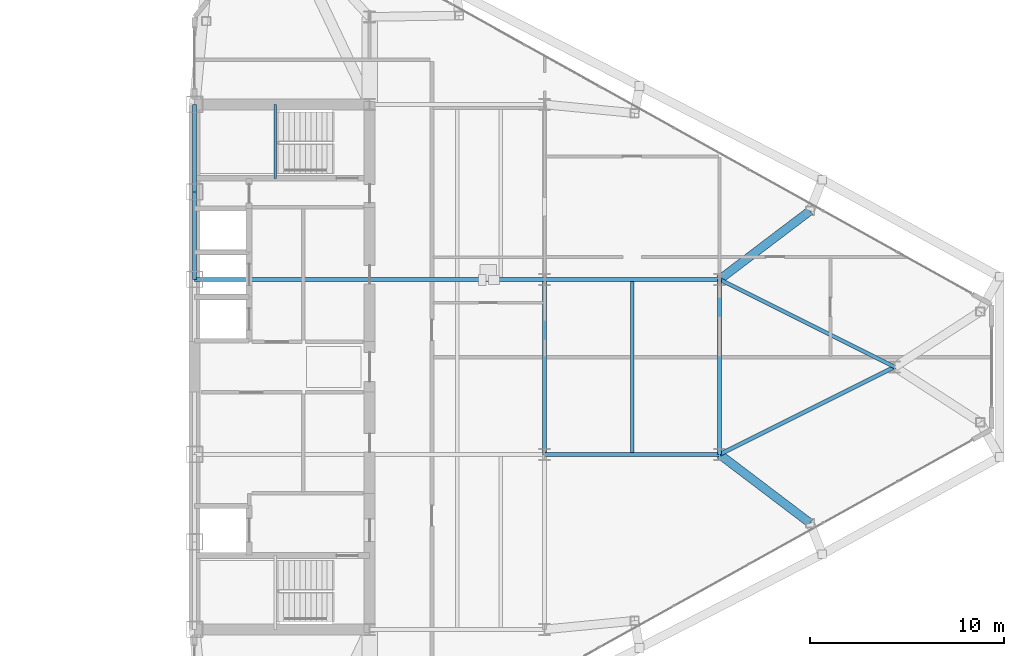
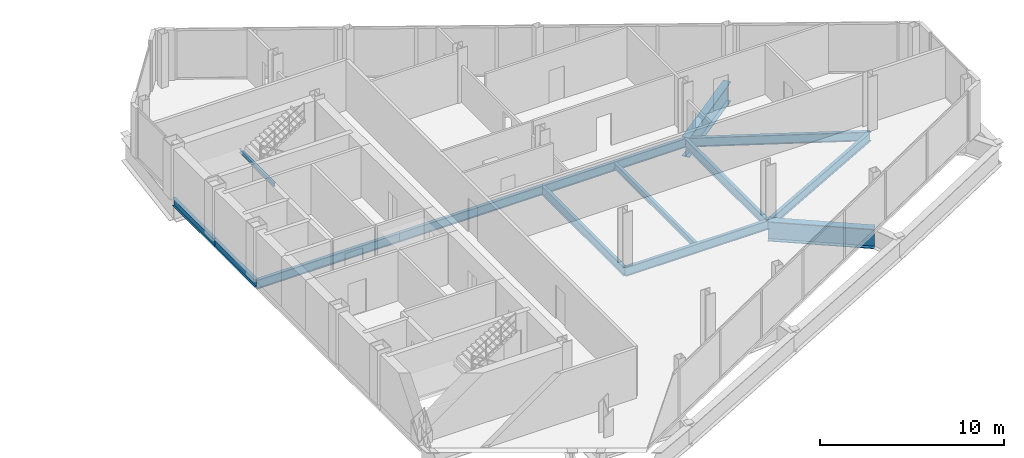
# One storey, part 14 of 28: 14 beams.
"""IFC4 building model written with IfcOpenShell, lengths in metres."""

from ifc_helpers import new_model, si_unit, direction, frame, origin, origin_2d, place, context, subcontext, project, spatial, i_section, extrude, source, transform, mapped, material, material_profile, profile_set, type_object, type_shapes, element, save


model = new_model("IFC4")

# Units and contexts
model_context = context("Model", 3, precision=1e-05, world=origin(), true_north=direction((0.0, 1.0)))
body_context = subcontext(model_context, "Body", "Model", "MODEL_VIEW")
ifc_project = project(units=[si_unit("LENGTHUNIT", "METRE"), si_unit("AREAUNIT", "SQUARE_METRE"), si_unit("VOLUMEUNIT", "CUBIC_METRE"), si_unit("PLANEANGLEUNIT", "RADIAN"), si_unit("MASSUNIT", "GRAM", prefix="KILO")], contexts=[model_context])

# Site, building, storey
site_placement = place(None, origin())
site = spatial("IfcSite", under=ifc_project, at=site_placement, CompositionType="ELEMENT")
building_placement = place(site_placement, origin())
building = spatial("IfcBuilding", under=site, at=building_placement, Name="Seokmaru Belvedere", CompositionType="ELEMENT")
storey_placement = place(building_placement, frame((0.0, 0.0, 158.39990234375)))
storey = spatial("IfcBuildingStorey", under=building, at=storey_placement, Name="L42", CompositionType="ELEMENT", Elevation=158.39990234375)

# Beams
ifc_material_1 = material(Name="Steel SM355 (355 MPa)", Category="steel")
ifc_material_profile_1 = material_profile(ifc_material_1, i_section(OverallWidth=0.199951171875, OverallDepth=0.5, WebThickness=0.010009765625, FlangeThickness=0.01611328125, at=origin_2d()), Name="H-500x200x10x16")
ifc_profile_set_1 = profile_set([ifc_material_profile_1], Name="Steel SM355 (355 MPa)")
beam_type_1 = type_object("IfcBeamType", Name="Perimeter Spandrel Beam H-500", PredefinedType="SPANDREL", material=ifc_profile_set_1)
shared_shape_1 = source(origin(), body_context, "Body", "SweptSolid", [
    extrude(i_section(OverallWidth=0.199951171875, OverallDepth=0.5, WebThickness=0.010009765625, FlangeThickness=0.01611328125, at=origin_2d()), origin(), (0.0, 0.0, 1.0), 4.5),
])
type_shapes(beam_type_1, [shared_shape_1])
for number, where, z_axis, x_axis, name in (
    (1, (27.5, 4.5, -0.469970703125), (0.0, 1.0, 0.0), (-1.0, 0.0, 0.0), "L42 E Portal Spine Spandrel 4"),
    (2, (27.5, 9.0, -0.469970703125), (0.0, 1.0, 0.0), (-1.0, 0.0, 0.0), "L42 E Portal Spine Spandrel 5"),
):
    element("IfcBeam", number, at=place(storey_placement, frame(where, z_axis=z_axis, x_axis=x_axis)), inside=storey, type_object=beam_type_1, Name=name, PredefinedType="SPANDREL", context=body_context, shape_type="MappedRepresentation", body=[
        mapped(shared_shape_1, transform((0.0, 0.0, 0.0), scale=1.0)),
    ])
ifc_material_profile_2 = material_profile(ifc_material_1, i_section(OverallWidth=0.199951171875, OverallDepth=0.60009765625, WebThickness=0.010986328125, FlangeThickness=0.01708984375, at=origin_2d()), Name="H-600x200x11x17")
ifc_profile_set_2 = profile_set([ifc_material_profile_2], Name="Steel SM355 (355 MPa)")
beam_type_2 = type_object("IfcBeamType", Name="Primary Floor Girder H-600", PredefinedType="BEAM", material=ifc_profile_set_2)
shared_shape_2 = source(origin(), body_context, "Body", "SweptSolid", [
    extrude(i_section(OverallWidth=0.199951171875, OverallDepth=0.60009765625, WebThickness=0.010986328125, FlangeThickness=0.01708984375, at=origin_2d()), origin(), (0.0, 0.0, 1.0), 9.0),
])
for number, where, z_axis, x_axis, name in (
    (3, (45.5, -4.5, -0.52001953125), (0.0, 1.0, 0.0), (-1.0, 0.0, 0.0), "L42 E Interior Grid Girder 2"),
    (4, (27.5, 4.5, -0.52001953125), (1.0, 0.0, 0.0), (0.0, 1.0, 0.0), "L42 E Core Tie Girder 3"),
    (5, (36.5, 4.5, -0.52001953125), (1.0, 0.0, 0.0), (0.0, 1.0, 0.0), "L42 E Wing Primary Girder 3"),
    (6, (45.5, -4.5, -0.52001953125), (1.0, 0.0, 0.0), (0.0, 1.0, 0.0), "L42 E Outer Wing Girder 1"),
    (7, (45.5, 4.5, -0.52001953125), (1.0, 0.0, 0.0), (0.0, 1.0, 0.0), "L42 E Outer Wing Girder 2"),
    (8, (54.5, -4.5, -0.52001953125), (0.0, 1.0, 0.0), (-1.0, 0.0, 0.0), "L42 E Apex Frame Girder"),
):
    element("IfcBeam", number, at=place(storey_placement, frame(where, z_axis=z_axis, x_axis=x_axis)), inside=storey, type_object=beam_type_2, Name=name, PredefinedType="BEAM", context=body_context, shape_type="MappedRepresentation", body=[
        mapped(shared_shape_2, transform((0.0, 0.0, 0.0), scale=1.0)),
    ])
shared_shape_3 = source(origin(), body_context, "Body", "SweptSolid", [
    extrude(i_section(OverallWidth=0.199951171875, OverallDepth=0.60009765625, WebThickness=0.010986328125, FlangeThickness=0.01708984375, at=origin_2d()), origin(), (0.0, 0.0, 1.0), 10.062255859375),
])
type_shapes(beam_type_2, [shared_shape_2, shared_shape_3])
for number, where, z_axis, x_axis, name in (
    (9, (54.5, -4.5, -0.52001953125), (0.894427191, 0.4472135955, 0.0), (-0.4472135955, 0.894427191, 0.0), "L42 E Apex Converging Girder 1"),
    (10, (54.5, 4.5, -0.52001953125), (0.894427191, -0.4472135955, 0.0), (0.4472135955, 0.894427191, 0.0), "L42 E Apex Converging Girder 2"),
):
    element("IfcBeam", number, at=place(storey_placement, frame(where, z_axis=z_axis, x_axis=x_axis)), inside=storey, type_object=beam_type_2, Name=name, PredefinedType="BEAM", context=body_context, shape_type="MappedRepresentation", body=[
        mapped(shared_shape_3, transform((0.0, 0.0, 0.0), scale=1.0)),
    ])
ifc_material_profile_3 = material_profile(ifc_material_1, i_section(OverallWidth=0.18505859375, OverallDepth=0.389892578125, WebThickness=0.008056640625, FlangeThickness=0.011962890625, at=origin_2d()), Name="H-390x185x8x12")
ifc_profile_set_3 = profile_set([ifc_material_profile_3], Name="Steel SM355 (355 MPa)")
beam_type_3 = type_object("IfcBeamType", Name="Secondary Floor Joist H-350", PredefinedType="JOIST", material=ifc_profile_set_3)
shared_shape_4 = source(origin(), body_context, "Body", "SweptSolid", [
    extrude(i_section(OverallWidth=0.18505859375, OverallDepth=0.389892578125, WebThickness=0.008056640625, FlangeThickness=0.011962890625, at=origin_2d()), origin(), (0.0, 0.0, 1.0), 8.7900390625),
])
type_shapes(beam_type_3, [shared_shape_4])
beam_1_placement = place(storey_placement, frame((50.0, -4.39501953125, -0.414794921875), z_axis=(0.0, 1.0, 0.0), x_axis=(-1.0, 0.0, 0.0)))
element("IfcBeam", 11, at=beam_1_placement, inside=storey, type_object=beam_type_3, Name="L42 E Outer Bay Secondary Joist", PredefinedType="JOIST", context=body_context, shape_type="MappedRepresentation", body=[
    mapped(shared_shape_4, transform((0.0, 0.0, 0.0), scale=1.0)),
])
ifc_material_2 = material(Name="Steel HSA650 (650 MPa)", Category="steel")
ifc_material_profile_4 = material_profile(ifc_material_2, i_section(OverallWidth=0.449951171875, OverallDepth=1.300048828125, WebThickness=0.02197265625, FlangeThickness=0.0380859375, at=origin_2d()), Name="BH-1300x450x22x38")
ifc_profile_set_4 = profile_set([ifc_material_profile_4], Name="Steel HSA650 (650 MPa)")
beam_type_4 = type_object("IfcBeamType", Name="Observatory Long-Span Roof Girder BH-1300", PredefinedType="BEAM", material=ifc_profile_set_4)
shared_shape_5 = source(origin(), body_context, "Body", "SweptSolid", [
    extrude(i_section(OverallWidth=0.449951171875, OverallDepth=1.300048828125, WebThickness=0.02197265625, FlangeThickness=0.0380859375, at=origin_2d()), origin(), (0.0, 0.0, 1.0), 5.842529296875),
])
type_shapes(beam_type_4, [shared_shape_5])
for number, where, z_axis, x_axis, name in (
    (12, (59.154541015625, -8.031494140625, -0.869873046875), (-0.796653109879, 0.604436781243, 0.0), (-0.604436781243, -0.796653109879, 0.0), "L42 E Flank Setback Back-Span Girder S-3"),
    (13, (59.154541015625, 8.031494140625, -0.869873046875), (-0.796653109879, -0.604436781243, 0.0), (0.604436781243, -0.796653109879, 0.0), "L42 E Flank Setback Back-Span Girder N-3"),
):
    element("IfcBeam", number, at=place(storey_placement, frame(where, z_axis=z_axis, x_axis=x_axis)), inside=storey, type_object=beam_type_4, Name=name, PredefinedType="BEAM", context=body_context, shape_type="MappedRepresentation", body=[
        mapped(shared_shape_5, transform((0.0, 0.0, 0.0), scale=1.0)),
    ])
ifc_material_profile_5 = material_profile(ifc_material_1, i_section(OverallWidth=0.125, OverallDepth=0.25, WebThickness=0.006103515625, FlangeThickness=0.009033203125, at=origin_2d()), Name="H-250x125x6x9")
ifc_profile_set_5 = profile_set([ifc_material_profile_5], Name="Steel SM355 (355 MPa)")
beam_type_5 = type_object("IfcBeamType", Name="Stair Mid-Landing Support Beam H-250", PredefinedType="JOIST", material=ifc_profile_set_5)
shared_shape_6 = source(origin(), body_context, "Body", "SweptSolid", [
    extrude(i_section(OverallWidth=0.125, OverallDepth=0.25, WebThickness=0.006103515625, FlangeThickness=0.009033203125, at=origin_2d()), origin(), (0.0, 0.0, 1.0), 3.800048828125),
])
type_shapes(beam_type_5, [shared_shape_6])
beam_2_placement = place(storey_placement, frame((31.64990234375, 9.699951171875, 1.47509765625), z_axis=(0.0, 1.0, 0.0), x_axis=(-1.0, 0.0, 0.0)))
element("IfcBeam", 14, at=beam_2_placement, inside=storey, type_object=beam_type_5, Name="L42 Stair ST-E2 Mid-Landing Support Beam 1", PredefinedType="JOIST", context=body_context, shape_type="MappedRepresentation", body=[
    mapped(shared_shape_6, transform((0.0, 0.0, 0.0), scale=1.0)),
])

save(model, "model.ifc")
